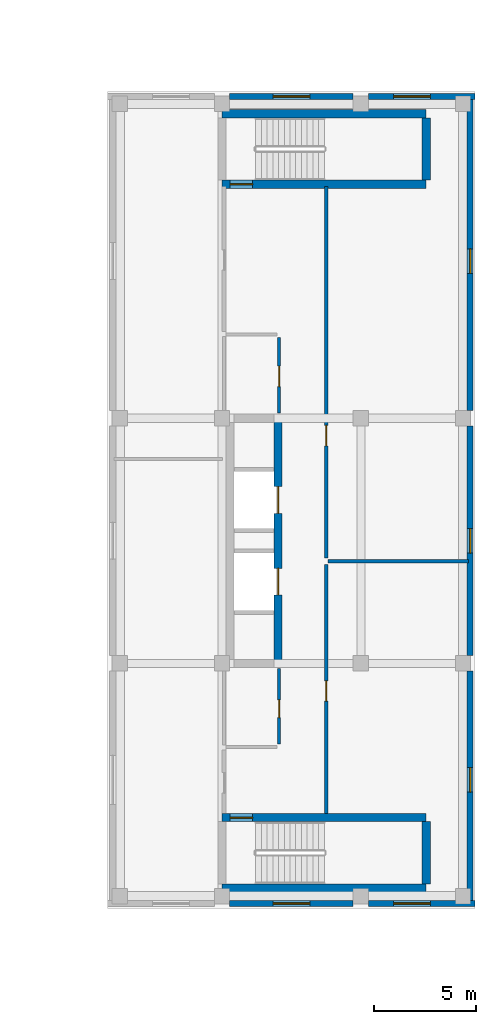
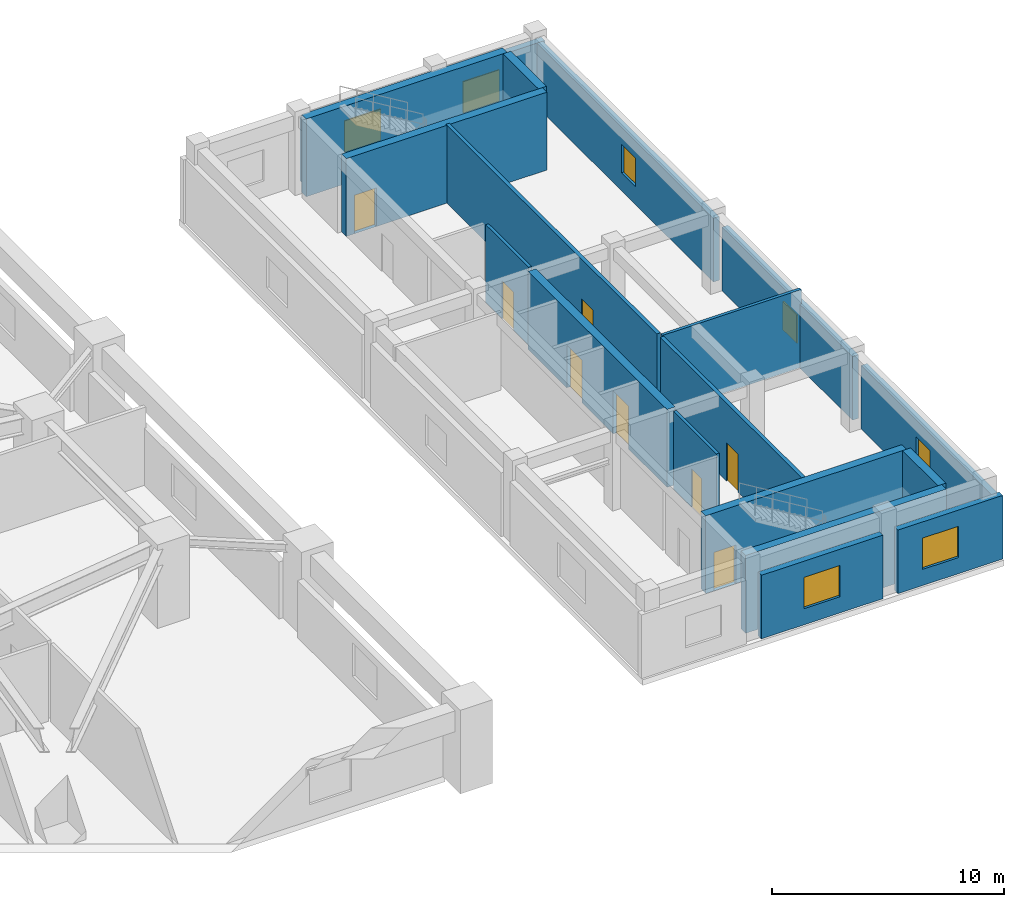
# One storey, part 11 of 16: 19 walls, 8 doors, 7 windows, 15 openings.
"""IFC4 building model written with IfcOpenShell, lengths in metres."""

from ifc_helpers import new_model, si_unit, direction, frame, frame_2d, origin, place, context, subcontext, project, spatial, rectangle, extrude, source, transform, mapped, material, layer, layer_set, type_object, element, fill, save


model = new_model("IFC4")

# Units and contexts
model_context = context("Model", 3, precision=1e-05, world=origin(), true_north=direction((0.0, 1.0)))
body_context = subcontext(model_context, "Body", "Model", "MODEL_VIEW")
ifc_project = project(units=[si_unit("LENGTHUNIT", "METRE"), si_unit("AREAUNIT", "SQUARE_METRE"), si_unit("VOLUMEUNIT", "CUBIC_METRE"), si_unit("PLANEANGLEUNIT", "RADIAN"), si_unit("MASSUNIT", "GRAM", prefix="KILO")], contexts=[model_context])

# Site, building, storey
site_placement = place(None, origin())
site = spatial("IfcSite", under=ifc_project, at=site_placement, CompositionType="ELEMENT")
building_placement = place(site_placement, origin())
building = spatial("IfcBuilding", under=site, at=building_placement, Name="Veraguas Prism Commons", CompositionType="ELEMENT")
storey_placement = place(building_placement, frame((0.0, 0.0, 9.60009765625)))
storey = spatial("IfcBuildingStorey", under=building, at=storey_placement, Name="L02", CompositionType="ELEMENT", Elevation=9.60009765625)

# Wall, openings, doors
ifc_material_1 = material(Name="Concrete C50/60", Category="concrete")
ifc_layer_1 = layer(ifc_material_1, 0.39990234375, Name="Clinic and Mid Core Shear Wall RC 400", Category="concrete")
ifc_layer_set_1 = layer_set([ifc_layer_1], Name="Concrete C50/60")
wall_type_1 = type_object("IfcWallType", Name="Clinic and Mid Core Shear Wall RC 400", PredefinedType="SHEAR", material=ifc_layer_set_1)
wall_1_placement = place(storey_placement, frame((65.35009765625, 16.0, 0.0), z_axis=(0.0, 0.0, 1.0), x_axis=(0.0, 1.0, 0.0)))
wall_1 = element("IfcWall", 1, at=wall_1_placement, inside=storey, type_object=wall_type_1, Name="Health Centre Lift Core Front Shear Wall L02", PredefinedType="SHEAR", context=body_context, shape_type="SweptSolid", body=[
    extrude(rectangle(XDim=12.0, YDim=0.39990234375, at=frame_2d((6.0, 0.0))), origin(), (0.0, 0.0, 1.0), 4.099853515625),
])
opening_1_placement = place(wall_1_placement, frame((3.35009765625, 0.0, 0.0)))
opening_1 = element("IfcOpeningElement", 2, at=opening_1_placement, cuts=wall_1, Name="Opening LD-02", PredefinedType="OPENING", context=body_context, shape_type="SweptSolid", body=[
    extrude(rectangle(XDim=1.300048828125, YDim=2.25, at=frame_2d((0.64990234375, 1.125))), frame((0.0, 0.2099609375, 0.0), z_axis=(0.0, -1.0, 0.0), x_axis=(1.0, 0.0, 0.0)), (0.0, 0.0, 1.0), 0.419921875),
])
opening_2_placement = place(wall_1_placement, frame((7.35009765625, 0.0, 0.0)))
opening_2 = element("IfcOpeningElement", 3, at=opening_2_placement, cuts=wall_1, Name="Opening LD-02", PredefinedType="OPENING", context=body_context, shape_type="SweptSolid", body=[
    extrude(rectangle(XDim=1.300048828125, YDim=2.25, at=frame_2d((0.64990234375, 1.125))), frame((0.0, 0.2099609375, 0.0), z_axis=(0.0, -1.0, 0.0), x_axis=(1.0, 0.0, 0.0)), (0.0, 0.0, 1.0), 0.419921875),
])
ifc_material_2 = material(Name="Stainless steel AISI 316", Category="steel")
door_type_1 = type_object("IfcDoorType", Name="Firefighting Lift Sliding Landing Door 1300x2250", OperationType="NOTDEFINED", PredefinedType="DOOR", material=ifc_material_2)
shared_shape_1 = source(origin(), body_context, "Body", "SweptSolid", [
    extrude(rectangle(XDim=1.300048828125, YDim=2.25, at=frame_2d((0.64990234375, 1.125))), frame((0.0, 0.02490234375, 0.0), z_axis=(0.0, -1.0, 0.0), x_axis=(1.0, 0.0, 0.0)), (0.0, 0.0, 1.0), 0.050048828125),
])
door_1_placement = place(opening_1_placement, origin())
door_1 = element("IfcDoor", 4, at=door_1_placement, inside=storey, type_object=door_type_1, Name="Health Centre Lift CL-1 Door L02", OperationType="SLIDING_TO_LEFT", OverallHeight=2.25, OverallWidth=1.300048828125, PredefinedType="DOOR", context=body_context, shape_type="MappedRepresentation", body=[
    mapped(shared_shape_1, transform((0.0, 0.0, 0.0), scale=1.0)),
])
fill(opening_1, door_1)
door_2_placement = place(opening_2_placement, origin())
door_2 = element("IfcDoor", 5, at=door_2_placement, inside=storey, type_object=door_type_1, Name="Health Centre Lift CL-2 Door L02", OperationType="SLIDING_TO_LEFT", OverallHeight=2.25, OverallWidth=1.300048828125, PredefinedType="DOOR", context=body_context, shape_type="MappedRepresentation", body=[
    mapped(shared_shape_1, transform((0.0, 0.0, 0.0), scale=1.0)),
])
fill(opening_2, door_2)

# Wall
wall_2_placement = place(storey_placement, frame((62.60009765625, 5.0, 0.0), z_axis=(0.0, 0.0, 1.0), x_axis=(1.0, 0.0, 0.0)))
element("IfcWall", 6, at=wall_2_placement, inside=storey, type_object=wall_type_1, Name="ST-H1 South Shear Wall L02", PredefinedType="SHEAR", context=body_context, shape_type="SweptSolid", body=[
    extrude(rectangle(XDim=10.0, YDim=0.39990234375, at=frame_2d((5.0, 0.0))), origin(), (0.0, 0.0, 1.0), 4.099853515625),
])

# Wall, opening, door
wall_3_placement = place(storey_placement, frame((62.60009765625, 8.449951171875, 0.0), z_axis=(0.0, 0.0, 1.0), x_axis=(1.0, 0.0, 0.0)))
wall_3 = element("IfcWall", 7, at=wall_3_placement, inside=storey, type_object=wall_type_1, Name="ST-H1 North Shear Wall L02", PredefinedType="SHEAR", context=body_context, shape_type="SweptSolid", body=[
    extrude(rectangle(XDim=10.0, YDim=0.39990234375, at=frame_2d((5.0, 0.0))), origin(), (0.0, 0.0, 1.0), 4.099853515625),
])
opening_3_placement = place(wall_3_placement, frame((0.39990234375, 0.0, 0.0)))
opening_3 = element("IfcOpeningElement", 8, at=opening_3_placement, cuts=wall_3, Name="Opening DR-05", PredefinedType="OPENING", context=body_context, shape_type="SweptSolid", body=[
    extrude(rectangle(XDim=1.10009765625, YDim=2.030029296875, at=frame_2d((0.550048828125, 1.01513671875))), frame((0.0, 0.2099609375, 0.0), z_axis=(0.0, -1.0, 0.0), x_axis=(1.0, 0.0, 0.0)), (0.0, 0.0, 1.0), 0.419921875),
])
ifc_material_3 = material(Name="Steel fire-rated door assembly", Category="steel")
door_type_2 = type_object("IfcDoorType", Name="Protected Stair and Refuge Fire Door 1100x2030", OperationType="NOTDEFINED", PredefinedType="DOOR", material=ifc_material_3)
shared_shape_2 = source(origin(), body_context, "Body", "SweptSolid", [
    extrude(rectangle(XDim=1.10009765625, YDim=2.030029296875, at=frame_2d((0.550048828125, 1.01513671875))), frame((0.0, 0.02490234375, 0.0), z_axis=(0.0, -1.0, 0.0), x_axis=(1.0, 0.0, 0.0)), (0.0, 0.0, 1.0), 0.050048828125),
])
door_3_placement = place(opening_3_placement, origin())
door_3 = element("IfcDoor", 9, at=door_3_placement, inside=storey, type_object=door_type_2, Name="Health Centre Stair ST-H1 Door L02", OperationType="SINGLE_SWING_LEFT", OverallHeight=2.030029296875, OverallWidth=1.10009765625, PredefinedType="DOOR", context=body_context, shape_type="MappedRepresentation", body=[
    mapped(shared_shape_2, transform((0.0, 0.0, 0.0), scale=1.0)),
])
fill(opening_3, door_3)

# Wall
wall_4_placement = place(storey_placement, frame((72.60009765625, 5.199951171875, 0.0), z_axis=(0.0, 0.0, 1.0), x_axis=(0.0, 1.0, 0.0)))
element("IfcWall", 10, at=wall_4_placement, inside=storey, type_object=wall_type_1, Name="ST-H1 East Shear Wall L02", PredefinedType="SHEAR", context=body_context, shape_type="SweptSolid", body=[
    extrude(rectangle(XDim=3.050048828125, YDim=0.39990234375, at=frame_2d((1.52490234375, 0.0))), origin(), (0.0, 0.0, 1.0), 4.099853515625),
])

# Wall, opening, door
wall_5_placement = place(storey_placement, frame((62.60009765625, 39.4599609375, 0.0), z_axis=(0.0, 0.0, 1.0), x_axis=(1.0, 0.0, 0.0)))
wall_5 = element("IfcWall", 11, at=wall_5_placement, inside=storey, type_object=wall_type_1, Name="ST-H2 South Shear Wall L02", PredefinedType="SHEAR", context=body_context, shape_type="SweptSolid", body=[
    extrude(rectangle(XDim=10.0, YDim=0.39990234375, at=frame_2d((5.0, 0.0))), origin(), (0.0, 0.0, 1.0), 4.099853515625),
])
opening_4_placement = place(wall_5_placement, frame((0.39990234375, 0.0, 0.0)))
opening_4 = element("IfcOpeningElement", 12, at=opening_4_placement, cuts=wall_5, Name="Opening DR-05", PredefinedType="OPENING", context=body_context, shape_type="SweptSolid", body=[
    extrude(rectangle(XDim=1.10009765625, YDim=2.030029296875, at=frame_2d((0.550048828125, 1.01513671875))), frame((0.0, 0.2099609375, 0.0), z_axis=(0.0, -1.0, 0.0), x_axis=(1.0, 0.0, 0.0)), (0.0, 0.0, 1.0), 0.419921875),
])
door_4_placement = place(opening_4_placement, origin())
door_4 = element("IfcDoor", 13, at=door_4_placement, inside=storey, type_object=door_type_2, Name="Health Centre Stair ST-H2 Door L02", OperationType="SINGLE_SWING_RIGHT", OverallHeight=2.030029296875, OverallWidth=1.10009765625, PredefinedType="DOOR", context=body_context, shape_type="MappedRepresentation", body=[
    mapped(shared_shape_2, transform((0.0, 0.0, 0.0), scale=1.0)),
])
fill(opening_4, door_4)

# Walls
wall_6_placement = place(storey_placement, frame((62.60009765625, 42.909912109375, 0.0), z_axis=(0.0, 0.0, 1.0), x_axis=(1.0, 0.0, 0.0)))
element("IfcWall", 14, at=wall_6_placement, inside=storey, type_object=wall_type_1, Name="ST-H2 North Shear Wall L02", PredefinedType="SHEAR", context=body_context, shape_type="SweptSolid", body=[
    extrude(rectangle(XDim=10.0, YDim=0.39990234375, at=frame_2d((5.0, 0.0))), origin(), (0.0, 0.0, 1.0), 4.099853515625),
])
wall_7_placement = place(storey_placement, frame((72.60009765625, 39.659912109375, 0.0), z_axis=(0.0, 0.0, 1.0), x_axis=(0.0, 1.0, 0.0)))
element("IfcWall", 15, at=wall_7_placement, inside=storey, type_object=wall_type_1, Name="ST-H2 East Shear Wall L02", PredefinedType="SHEAR", context=body_context, shape_type="SweptSolid", body=[
    extrude(rectangle(XDim=3.050048828125, YDim=0.39990234375, at=frame_2d((1.52490234375, 0.0))), origin(), (0.0, 0.0, 1.0), 4.099853515625),
])

# Wall, opening, door
ifc_material_4 = material(Name="Autoclaved aerated masonry block 10 MPa", Category="masonry")
ifc_layer_2 = layer(ifc_material_4, 0.179931640625, Name="Corridor and Inter-Tenancy Partition 180", Category="masonry")
ifc_layer_set_2 = layer_set([ifc_layer_2], Name="Autoclaved aerated masonry block 10 MPa")
wall_type_2 = type_object("IfcWallType", Name="Corridor and Inter-Tenancy Partition 180", PredefinedType="PARTITIONING", material=ifc_layer_set_2)
wall_8_placement = place(storey_placement, frame((67.699951171875, 8.64990234375, 0.0), z_axis=(0.0, 0.0, 1.0), x_axis=(0.0, 1.0, 0.0)))
wall_8 = element("IfcWall", 16, at=wall_8_placement, inside=storey, type_object=wall_type_2, Name="WL-L02-HCPT08", PredefinedType="PARTITIONING", context=body_context, shape_type="SweptSolid", body=[
    extrude(rectangle(XDim=12.2001953125, YDim=0.179931640625, at=frame_2d((6.10009765625, 0.0))), origin(), (0.0, 0.0, 1.0), 4.099853515625),
])
opening_5_placement = place(wall_8_placement, frame((5.5, 0.0, 0.0)))
opening_5 = element("IfcOpeningElement", 17, at=opening_5_placement, cuts=wall_8, Name="Opening DR-13", PredefinedType="OPENING", context=body_context, shape_type="SweptSolid", body=[
    extrude(rectangle(XDim=1.0, YDim=2.010009765625, at=frame_2d((0.5, 1.0048828125))), frame((0.0, 0.099853515625, 0.0), z_axis=(0.0, -1.0, 0.0), x_axis=(1.0, 0.0, 0.0)), (0.0, 0.0, 1.0), 0.199951171875),
])
door_type_3 = type_object("IfcDoorType", Name="Core Accessible WC and Clinic Fire Door 1000x2010", OperationType="NOTDEFINED", PredefinedType="DOOR", material=ifc_material_3)
shared_shape_3 = source(origin(), body_context, "Body", "SweptSolid", [
    extrude(rectangle(XDim=1.0, YDim=2.010009765625, at=frame_2d((0.5, 1.0048828125))), frame((0.0, 0.02490234375, 0.0), z_axis=(0.0, -1.0, 0.0), x_axis=(1.0, 0.0, 0.0)), (0.0, 0.0, 1.0), 0.050048828125),
])
door_5_placement = place(opening_5_placement, origin())
door_5 = element("IfcDoor", 18, at=door_5_placement, inside=storey, type_object=door_type_3, Name="Clinical Pathology BSL-2 Laboratory Door", OperationType="SINGLE_SWING_RIGHT", OverallHeight=2.010009765625, OverallWidth=1.0, PredefinedType="DOOR", context=body_context, shape_type="MappedRepresentation", body=[
    mapped(shared_shape_3, transform((0.0, 0.0, 0.0), scale=1.0)),
])
fill(opening_5, door_5)

wall_9_placement = place(storey_placement, frame((67.699951171875, 21.14990234375, 0.0), z_axis=(0.0, 0.0, 1.0), x_axis=(0.0, 1.0, 0.0)))
wall_9 = element("IfcWall", 19, at=wall_9_placement, inside=storey, type_object=wall_type_2, Name="WL-L02-HCPT09", PredefinedType="PARTITIONING", context=body_context, shape_type="SweptSolid", body=[
    extrude(rectangle(XDim=18.2001953125, YDim=0.179931640625, at=frame_2d((9.10009765625, 0.0))), origin(), (0.0, 0.0, 1.0), 4.099853515625),
])
opening_6_placement = place(wall_9_placement, frame((5.5, 0.0, 0.0)))
opening_6 = element("IfcOpeningElement", 20, at=opening_6_placement, cuts=wall_9, Name="Opening DR-13", PredefinedType="OPENING", context=body_context, shape_type="SweptSolid", body=[
    extrude(rectangle(XDim=1.0, YDim=2.010009765625, at=frame_2d((0.5, 1.0048828125))), frame((0.0, 0.099853515625, 0.0), z_axis=(0.0, -1.0, 0.0), x_axis=(1.0, 0.0, 0.0)), (0.0, 0.0, 1.0), 0.199951171875),
])
door_6_placement = place(opening_6_placement, origin())
door_6 = element("IfcDoor", 21, at=door_6_placement, inside=storey, type_object=door_type_3, Name="Blood Draw Phlebotomy Room Door", OperationType="SINGLE_SWING_LEFT", OverallHeight=2.010009765625, OverallWidth=1.0, PredefinedType="DOOR", context=body_context, shape_type="MappedRepresentation", body=[
    mapped(shared_shape_3, transform((0.0, 0.0, 0.0), scale=1.0)),
])
fill(opening_6, door_6)

# Wall, opening, window
ifc_material_5 = material(Name="Precast concrete C40/50", Category="concrete")
ifc_layer_3 = layer(ifc_material_5, 0.300048828125, Name="External Precast Facade Wall 300", Category="concrete")
ifc_layer_set_3 = layer_set([ifc_layer_3], Name="Precast concrete C40/50")
wall_type_3 = type_object("IfcWallType", Name="External Precast Facade Wall 300", PredefinedType="SOLIDWALL", material=ifc_layer_set_3)
wall_10_placement = place(storey_placement, frame((62.97509765625, 4.25, 0.0), z_axis=(0.0, 0.0, 1.0), x_axis=(1.0, 0.0, 0.0)))
wall_10 = element("IfcWall", 22, at=wall_10_placement, inside=storey, type_object=wall_type_3, Name="Health Centre South Wall L02-02", PredefinedType="SOLIDWALL", context=body_context, shape_type="SweptSolid", body=[
    extrude(rectangle(XDim=6.0498046875, YDim=0.300048828125, at=frame_2d((3.02490234375, 0.0))), origin(), (0.0, 0.0, 1.0), 3.349853515625),
])
opening_7_placement = place(wall_10_placement, frame((2.125, 0.0, 0.85009765625)))
opening_7 = element("IfcOpeningElement", 23, at=opening_7_placement, cuts=wall_10, Name="Opening WN-01", PredefinedType="OPENING", context=body_context, shape_type="SweptSolid", body=[
    extrude(rectangle(XDim=1.800048828125, YDim=1.64990234375, at=frame_2d((0.89990234375, 0.824951171875))), frame((0.0, 0.159912109375, 0.0), z_axis=(0.0, -1.0, 0.0), x_axis=(1.0, 0.0, 0.0)), (0.0, 0.0, 1.0), 0.320068359375),
])
ifc_material_6 = material(Name="Laminated low-e glass", Category="glass")
window_type_1 = type_object("IfcWindowType", Name="Clinic Consulting Double Window 1800x1650", PartitioningType="DOUBLE_PANEL_VERTICAL", PredefinedType="WINDOW", material=ifc_material_6)
shared_shape_4 = source(origin(), body_context, "Body", "SweptSolid", [
    extrude(rectangle(XDim=1.800048828125, YDim=1.64990234375, at=frame_2d((0.89990234375, 0.824951171875))), frame((0.0, 0.030029296875, 0.0), z_axis=(0.0, -1.0, 0.0), x_axis=(1.0, 0.0, 0.0)), (0.0, 0.0, 1.0), 0.06005859375),
])
window_1_placement = place(opening_7_placement, origin())
window_1 = element("IfcWindow", 24, at=window_1_placement, inside=storey, type_object=window_type_1, Name="Health Centre South Window L02-02", OverallHeight=1.64990234375, OverallWidth=1.800048828125, PartitioningType="DOUBLE_PANEL_VERTICAL", PredefinedType="WINDOW", context=body_context, shape_type="MappedRepresentation", body=[
    mapped(shared_shape_4, transform((0.0, 0.0, 0.0), scale=1.0)),
])
fill(opening_7, window_1)

wall_11_placement = place(storey_placement, frame((69.77490234375, 4.25, 0.0), z_axis=(0.0, 0.0, 1.0), x_axis=(1.0, 0.0, 0.0)))
wall_11 = element("IfcWall", 25, at=wall_11_placement, inside=storey, type_object=wall_type_3, Name="Health Centre South Wall L02-03", PredefinedType="SOLIDWALL", context=body_context, shape_type="SweptSolid", body=[
    extrude(rectangle(XDim=5.22509765625, YDim=0.300048828125, at=frame_2d((2.612548828125, 0.0))), origin(), (0.0, 0.0, 1.0), 3.349853515625),
])
opening_8_placement = place(wall_11_placement, frame((1.22509765625, 0.0, 0.85009765625)))
opening_8 = element("IfcOpeningElement", 26, at=opening_8_placement, cuts=wall_11, Name="Opening WN-01", PredefinedType="OPENING", context=body_context, shape_type="SweptSolid", body=[
    extrude(rectangle(XDim=1.800048828125, YDim=1.64990234375, at=frame_2d((0.89990234375, 0.824951171875))), frame((0.0, 0.159912109375, 0.0), z_axis=(0.0, -1.0, 0.0), x_axis=(1.0, 0.0, 0.0)), (0.0, 0.0, 1.0), 0.320068359375),
])
window_2_placement = place(opening_8_placement, origin())
window_2 = element("IfcWindow", 27, at=window_2_placement, inside=storey, type_object=window_type_1, Name="Health Centre South Window L02-03", OverallHeight=1.64990234375, OverallWidth=1.800048828125, PartitioningType="DOUBLE_PANEL_VERTICAL", PredefinedType="WINDOW", context=body_context, shape_type="MappedRepresentation", body=[
    mapped(shared_shape_4, transform((0.0, 0.0, 0.0), scale=1.0)),
])
fill(opening_8, window_2)

wall_12_placement = place(storey_placement, frame((75.0, 43.75, 0.0), z_axis=(0.0, 0.0, 1.0), x_axis=(-1.0, 0.0, 0.0)))
wall_12 = element("IfcWall", 28, at=wall_12_placement, inside=storey, type_object=wall_type_3, Name="Health Centre North Wall L02-01", PredefinedType="SOLIDWALL", context=body_context, shape_type="SweptSolid", body=[
    extrude(rectangle(XDim=5.22509765625, YDim=0.300048828125, at=frame_2d((2.612548828125, 0.0))), origin(), (0.0, 0.0, 1.0), 3.349853515625),
])
opening_9_placement = place(wall_12_placement, frame((2.199951171875, 0.0, 0.85009765625)))
opening_9 = element("IfcOpeningElement", 29, at=opening_9_placement, cuts=wall_12, Name="Opening WN-01", PredefinedType="OPENING", context=body_context, shape_type="SweptSolid", body=[
    extrude(rectangle(XDim=1.800048828125, YDim=1.64990234375, at=frame_2d((0.89990234375, 0.824951171875))), frame((0.0, 0.159912109375, 0.0), z_axis=(0.0, -1.0, 0.0), x_axis=(1.0, 0.0, 0.0)), (0.0, 0.0, 1.0), 0.320068359375),
])
window_3_placement = place(opening_9_placement, origin())
window_3 = element("IfcWindow", 30, at=window_3_placement, inside=storey, type_object=window_type_1, Name="Health Centre North Window L02-01", OverallHeight=1.64990234375, OverallWidth=1.800048828125, PartitioningType="DOUBLE_PANEL_VERTICAL", PredefinedType="WINDOW", context=body_context, shape_type="MappedRepresentation", body=[
    mapped(shared_shape_4, transform((0.0, 0.0, 0.0), scale=1.0)),
])
fill(opening_9, window_3)

wall_13_placement = place(storey_placement, frame((69.02490234375, 43.75, 0.0), z_axis=(0.0, 0.0, 1.0), x_axis=(-1.0, 0.0, 0.0)))
wall_13 = element("IfcWall", 31, at=wall_13_placement, inside=storey, type_object=wall_type_3, Name="Health Centre North Wall L02-02", PredefinedType="SOLIDWALL", context=body_context, shape_type="SweptSolid", body=[
    extrude(rectangle(XDim=6.0498046875, YDim=0.300048828125, at=frame_2d((3.02490234375, 0.0))), origin(), (0.0, 0.0, 1.0), 3.349853515625),
])
opening_10_placement = place(wall_13_placement, frame((2.125, 0.0, 0.85009765625)))
opening_10 = element("IfcOpeningElement", 32, at=opening_10_placement, cuts=wall_13, Name="Opening WN-01", PredefinedType="OPENING", context=body_context, shape_type="SweptSolid", body=[
    extrude(rectangle(XDim=1.800048828125, YDim=1.64990234375, at=frame_2d((0.89990234375, 0.824951171875))), frame((0.0, 0.159912109375, 0.0), z_axis=(0.0, -1.0, 0.0), x_axis=(1.0, 0.0, 0.0)), (0.0, 0.0, 1.0), 0.320068359375),
])
window_4_placement = place(opening_10_placement, origin())
window_4 = element("IfcWindow", 33, at=window_4_placement, inside=storey, type_object=window_type_1, Name="Health Centre North Window L02-02", OverallHeight=1.64990234375, OverallWidth=1.800048828125, PartitioningType="DOUBLE_PANEL_VERTICAL", PredefinedType="WINDOW", context=body_context, shape_type="MappedRepresentation", body=[
    mapped(shared_shape_4, transform((0.0, 0.0, 0.0), scale=1.0)),
])
fill(opening_10, window_4)

wall_14_placement = place(storey_placement, frame((74.75, 4.39990234375, 0.0), z_axis=(0.0, 0.0, 1.0), x_axis=(0.0, 1.0, 0.0)))
wall_14 = element("IfcWall", 34, at=wall_14_placement, inside=storey, type_object=wall_type_3, Name="Health Centre East Wall L02-01", PredefinedType="SOLIDWALL", context=body_context, shape_type="SweptSolid", body=[
    extrude(rectangle(XDim=11.22509765625, YDim=0.300048828125, at=frame_2d((5.612548828125, 0.0))), origin(), (0.0, 0.0, 1.0), 3.349853515625),
])
opening_11_placement = place(wall_14_placement, frame((5.300048828125, 0.0, 0.949951171875)))
opening_11 = element("IfcOpeningElement", 35, at=opening_11_placement, cuts=wall_14, Name="Opening WN-03", PredefinedType="OPENING", context=body_context, shape_type="SweptSolid", body=[
    extrude(rectangle(XDim=1.199951171875, YDim=1.5, at=frame_2d((0.60009765625, 0.75))), frame((0.0, 0.159912109375, 0.0), z_axis=(0.0, -1.0, 0.0), x_axis=(1.0, 0.0, 0.0)), (0.0, 0.0, 1.0), 0.320068359375),
])
window_type_2 = type_object("IfcWindowType", Name="Clinic Treatment Window 1200x1500", PartitioningType="SINGLE_PANEL", PredefinedType="WINDOW", material=ifc_material_6)
shared_shape_5 = source(origin(), body_context, "Body", "SweptSolid", [
    extrude(rectangle(XDim=1.199951171875, YDim=1.5, at=frame_2d((0.60009765625, 0.75))), frame((0.0, 0.030029296875, 0.0), z_axis=(0.0, -1.0, 0.0), x_axis=(1.0, 0.0, 0.0)), (0.0, 0.0, 1.0), 0.06005859375),
])
window_5_placement = place(opening_11_placement, origin())
window_5 = element("IfcWindow", 36, at=window_5_placement, inside=storey, type_object=window_type_2, Name="Health Centre East Window L02-01", OverallHeight=1.5, OverallWidth=1.199951171875, PartitioningType="SINGLE_PANEL", PredefinedType="WINDOW", context=body_context, shape_type="MappedRepresentation", body=[
    mapped(shared_shape_5, transform((0.0, 0.0, 0.0), scale=1.0)),
])
fill(opening_11, window_5)

wall_15_placement = place(storey_placement, frame((74.75, 16.375, 0.0), z_axis=(0.0, 0.0, 1.0), x_axis=(0.0, 1.0, 0.0)))
wall_15 = element("IfcWall", 37, at=wall_15_placement, inside=storey, type_object=wall_type_3, Name="Health Centre East Wall L02-02", PredefinedType="SOLIDWALL", context=body_context, shape_type="SweptSolid", body=[
    extrude(rectangle(XDim=11.25, YDim=0.300048828125, at=frame_2d((5.625, 0.0))), origin(), (0.0, 0.0, 1.0), 3.349853515625),
])
opening_12_placement = place(wall_15_placement, frame((5.02490234375, 0.0, 0.949951171875)))
opening_12 = element("IfcOpeningElement", 38, at=opening_12_placement, cuts=wall_15, Name="Opening WN-03", PredefinedType="OPENING", context=body_context, shape_type="SweptSolid", body=[
    extrude(rectangle(XDim=1.199951171875, YDim=1.5, at=frame_2d((0.60009765625, 0.75))), frame((0.0, 0.159912109375, 0.0), z_axis=(0.0, -1.0, 0.0), x_axis=(1.0, 0.0, 0.0)), (0.0, 0.0, 1.0), 0.320068359375),
])
window_6_placement = place(opening_12_placement, origin())
window_6 = element("IfcWindow", 39, at=window_6_placement, inside=storey, type_object=window_type_2, Name="Health Centre East Window L02-02", OverallHeight=1.5, OverallWidth=1.199951171875, PartitioningType="SINGLE_PANEL", PredefinedType="WINDOW", context=body_context, shape_type="MappedRepresentation", body=[
    mapped(shared_shape_5, transform((0.0, 0.0, 0.0), scale=1.0)),
])
fill(opening_12, window_6)

wall_16_placement = place(storey_placement, frame((74.75, 28.375, 0.0), z_axis=(0.0, 0.0, 1.0), x_axis=(0.0, 1.0, 0.0)))
wall_16 = element("IfcWall", 40, at=wall_16_placement, inside=storey, type_object=wall_type_3, Name="Health Centre East Wall L02-03", PredefinedType="SOLIDWALL", context=body_context, shape_type="SweptSolid", body=[
    extrude(rectangle(XDim=15.22509765625, YDim=0.300048828125, at=frame_2d((7.612548828125, 0.0))), origin(), (0.0, 0.0, 1.0), 3.349853515625),
])
opening_13_placement = place(wall_16_placement, frame((6.72509765625, 0.0, 0.949951171875)))
opening_13 = element("IfcOpeningElement", 41, at=opening_13_placement, cuts=wall_16, Name="Opening WN-03", PredefinedType="OPENING", context=body_context, shape_type="SweptSolid", body=[
    extrude(rectangle(XDim=1.199951171875, YDim=1.5, at=frame_2d((0.60009765625, 0.75))), frame((0.0, 0.159912109375, 0.0), z_axis=(0.0, -1.0, 0.0), x_axis=(1.0, 0.0, 0.0)), (0.0, 0.0, 1.0), 0.320068359375),
])
window_7_placement = place(opening_13_placement, origin())
window_7 = element("IfcWindow", 42, at=window_7_placement, inside=storey, type_object=window_type_2, Name="Health Centre East Window L02-03", OverallHeight=1.5, OverallWidth=1.199951171875, PartitioningType="SINGLE_PANEL", PredefinedType="WINDOW", context=body_context, shape_type="MappedRepresentation", body=[
    mapped(shared_shape_5, transform((0.0, 0.0, 0.0), scale=1.0)),
])
fill(opening_13, window_7)

# Wall, opening, door
ifc_material_7 = material(Name="Lightweight acoustic gypsum board")
ifc_layer_4 = layer(ifc_material_7, 0.14990234375, Name="Wet Room and Clinic Acoustic Partition 150")
ifc_layer_set_4 = layer_set([ifc_layer_4], Name="Lightweight acoustic gypsum board")
wall_type_4 = type_object("IfcWallType", Name="Wet Room and Clinic Acoustic Partition 150", PredefinedType="PARTITIONING", material=ifc_layer_set_4)
wall_17_placement = place(storey_placement, frame((65.39990234375, 12.050048828125, 0.0), z_axis=(0.0, 0.0, 1.0), x_axis=(0.0, 1.0, 0.0)))
wall_17 = element("IfcWall", 43, at=wall_17_placement, inside=storey, type_object=wall_type_4, Name="WL-L02-HCPT02", PredefinedType="PARTITIONING", context=body_context, shape_type="SweptSolid", body=[
    extrude(rectangle(XDim=3.699951171875, YDim=0.14990234375, at=frame_2d((1.85009765625, 0.0))), origin(), (0.0, 0.0, 1.0), 4.099853515625),
])
opening_14_placement = place(wall_17_placement, frame((1.300048828125, 0.0, 0.0)))
opening_14 = element("IfcOpeningElement", 44, at=opening_14_placement, cuts=wall_17, Name="Opening DR-12", PredefinedType="OPENING", context=body_context, shape_type="SweptSolid", body=[
    extrude(rectangle(XDim=0.860107421875, YDim=2.010009765625, at=frame_2d((0.43017578125, 1.0048828125))), frame((0.0, 0.0849609375, 0.0), z_axis=(0.0, -1.0, 0.0), x_axis=(1.0, 0.0, 0.0)), (0.0, 0.0, 1.0), 0.169921875),
])
door_type_4 = type_object("IfcDoorType", Name="Core WC Fire Door 860x2010", OperationType="NOTDEFINED", PredefinedType="DOOR", material=ifc_material_3)
shared_shape_6 = source(origin(), body_context, "Body", "SweptSolid", [
    extrude(rectangle(XDim=0.860107421875, YDim=2.010009765625, at=frame_2d((0.43017578125, 1.0048828125))), frame((0.0, 0.02490234375, 0.0), z_axis=(0.0, -1.0, 0.0), x_axis=(1.0, 0.0, 0.0)), (0.0, 0.0, 1.0), 0.050048828125),
])
door_7_placement = place(opening_14_placement, origin())
door_7 = element("IfcDoor", 45, at=door_7_placement, inside=storey, type_object=door_type_4, Name="Clinic WC Door L02", OperationType="SINGLE_SWING_RIGHT", OverallHeight=2.010009765625, OverallWidth=0.860107421875, PredefinedType="DOOR", context=body_context, shape_type="MappedRepresentation", body=[
    mapped(shared_shape_6, transform((0.0, 0.0, 0.0), scale=1.0)),
])
fill(opening_14, door_7)

wall_18_placement = place(storey_placement, frame((65.39990234375, 28.25, 0.0), z_axis=(0.0, 0.0, 1.0), x_axis=(0.0, 1.0, 0.0)))
wall_18 = element("IfcWall", 46, at=wall_18_placement, inside=storey, type_object=wall_type_4, Name="WL-L02-HCPT04", PredefinedType="PARTITIONING", context=body_context, shape_type="SweptSolid", body=[
    extrude(rectangle(XDim=3.699951171875, YDim=0.14990234375, at=frame_2d((1.85009765625, 0.0))), origin(), (0.0, 0.0, 1.0), 4.099853515625),
])
opening_15_placement = place(wall_18_placement, frame((1.300048828125, 0.0, 0.0)))
opening_15 = element("IfcOpeningElement", 47, at=opening_15_placement, cuts=wall_18, Name="Opening DR-13", PredefinedType="OPENING", context=body_context, shape_type="SweptSolid", body=[
    extrude(rectangle(XDim=1.0, YDim=2.010009765625, at=frame_2d((0.5, 1.0048828125))), frame((0.0, 0.0849609375, 0.0), z_axis=(0.0, -1.0, 0.0), x_axis=(1.0, 0.0, 0.0)), (0.0, 0.0, 1.0), 0.169921875),
])
door_8_placement = place(opening_15_placement, origin())
door_8 = element("IfcDoor", 48, at=door_8_placement, inside=storey, type_object=door_type_3, Name="Clinic Accessible WC Door L02", OperationType="SINGLE_SWING_LEFT", OverallHeight=2.010009765625, OverallWidth=1.0, PredefinedType="DOOR", context=body_context, shape_type="MappedRepresentation", body=[
    mapped(shared_shape_3, transform((0.0, 0.0, 0.0), scale=1.0)),
])
fill(opening_15, door_8)

# Wall
wall_19_placement = place(storey_placement, frame((67.780029296875, 21.0, 0.0), z_axis=(0.0, 0.0, 1.0), x_axis=(1.0, 0.0, 0.0)))
element("IfcWall", 49, at=wall_19_placement, inside=storey, type_object=wall_type_4, Name="WL-L02-HCPT10", PredefinedType="PARTITIONING", context=body_context, shape_type="SweptSolid", body=[
    extrude(rectangle(XDim=6.89990234375, YDim=0.14990234375, at=frame_2d((3.449951171875, 0.0))), origin(), (0.0, 0.0, 1.0), 4.099853515625),
])

save(model, "model.ifc")
